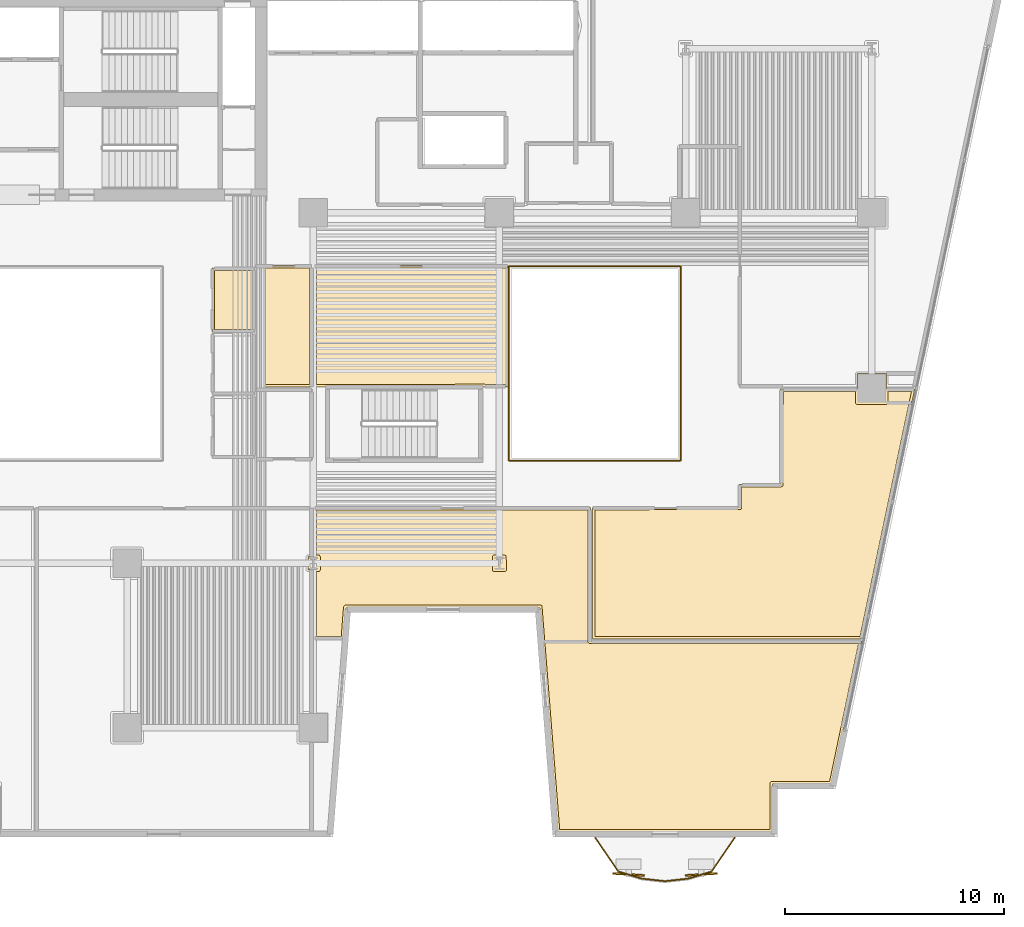
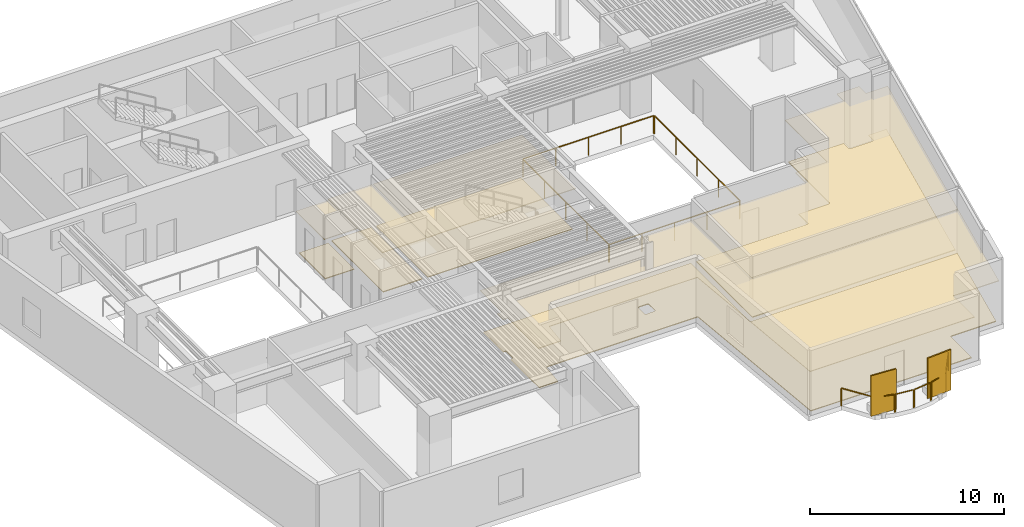
# One storey, part 9 of 11: 10 coverings, 10 railings, 2 shading devices.
"""IFC4 building model written with IfcOpenShell, lengths in metres."""

from ifc_helpers import new_model, si_unit, direction, frame, origin, origin_2d, place, context, subcontext, project, spatial, polyline, rectangle, outline, extrude, material, layer, layer_set, type_object, element, save


model = new_model("IFC4")

# Units and contexts
model_context = context("Model", 3, precision=1e-05, world=origin(), true_north=direction((0.0, 1.0)))
body_context = subcontext(model_context, "Body", "Model", "MODEL_VIEW")
ifc_project = project(units=[si_unit("LENGTHUNIT", "METRE"), si_unit("AREAUNIT", "SQUARE_METRE"), si_unit("VOLUMEUNIT", "CUBIC_METRE"), si_unit("PLANEANGLEUNIT", "RADIAN"), si_unit("MASSUNIT", "GRAM", prefix="KILO")], contexts=[model_context])

# Site, building, storey
site_placement = place(None, origin())
site = spatial("IfcSite", under=ifc_project, at=site_placement, CompositionType="ELEMENT")
building_placement = place(site_placement, origin())
building = spatial("IfcBuilding", under=site, at=building_placement, Name="Caeloran Harvest Quay", CompositionType="ELEMENT")
storey_placement = place(building_placement, frame((0.0, 0.0, 49.0)))
storey = spatial("IfcBuildingStorey", under=building, at=storey_placement, Name="L11", CompositionType="ELEMENT", Elevation=49.0)

# Coverings
ifc_material_1 = material(Name="Perforated Mineral-Fibre Acoustic Ceiling Tile", Category="ceiling")
ifc_layer_1 = layer(ifc_material_1, 0.0400390625, Name="Perforated Mineral-Fibre Acoustic Ceiling Tile")
ifc_layer_set_1 = layer_set([ifc_layer_1], Name="Perforated Mineral-Fibre Acoustic Ceiling Tile")
covering_type_1 = type_object("IfcCoveringType", Name="COV-CEILING-ACOUSTIC", PredefinedType="CEILING", material=ifc_layer_set_1)
covering_1_placement = place(storey_placement, frame((0.0, 0.0, 2.60009765625)))
element("IfcCovering", 1, at=covering_1_placement, inside=storey, type_object=covering_type_1, Name="L11 Male Washroom WC Acoustic Ceiling", PredefinedType="CEILING", context=body_context, shape_type="SweptSolid", body=[
    extrude(outline(polyline([(22.840087890625, 25.56005859375), (20.8701171875, 25.56005859375), (20.8701171875, 28.489990234375), (22.840087890625, 28.489990234375), (22.840087890625, 25.56005859375)])), origin(), (0.0, 0.0, 1.0), 0.039794921875),
])
covering_2_placement = place(storey_placement, frame((0.0, 0.0, 2.60009765625)))
element("IfcCovering", 2, at=covering_2_placement, inside=storey, type_object=covering_type_1, Name="Microgreens LED Rack Chamber Acoustic Ceiling", PredefinedType="CEILING", context=body_context, shape_type="SweptSolid", body=[
    extrude(outline(polyline([(46.467041015625, 2.719970703125), (36.64404296875, 2.719970703125), (35.843994140625, 12.969970703125), (26.99951171875, 12.969970703125), (26.887939453125, 11.5400390625), (25.5400390625, 11.5400390625), (25.5400390625, 14.695556640625), (25.2529296875, 14.695556640625), (25.2529296875, 15.304443359375), (25.5400390625, 15.304443359375), (25.5400390625, 17.56005859375), (38.159912109375, 17.56005859375), (38.159912109375, 11.4599609375), (50.54443359375, 11.4599609375), (49.170654296875, 4.919921875), (46.467041015625, 4.919921875), (46.467041015625, 2.719970703125)])), origin(), (0.0, 0.0, 1.0), 0.039794921875),
])
covering_3_placement = place(storey_placement, frame((0.0, 0.0, 2.60009765625)))
element("IfcCovering", 3, at=covering_3_placement, inside=storey, type_object=covering_type_1, Name="Tissue Culture Laboratory Acoustic Ceiling", PredefinedType="CEILING", context=body_context, shape_type="SweptSolid", body=[
    extrude(outline(polyline([(44.93994140625, 18.610107421875), (46.840087890625, 18.610107421875), (46.840087890625, 22.9599609375), (50.330078125, 22.9599609375), (50.330078125, 23.669921875), (51.669921875, 23.669921875), (51.669921875, 22.9599609375), (52.960205078125, 22.9599609375), (50.561279296875, 11.5400390625), (38.239990234375, 11.5400390625), (38.239990234375, 17.56005859375), (44.93994140625, 17.56005859375), (44.93994140625, 18.610107421875)])), origin(), (0.0, 0.0, 1.0), 0.039794921875),
])
covering_4_placement = place(storey_placement, frame((0.0, 0.0, 2.60009765625)))
element("IfcCovering", 4, at=covering_4_placement, inside=storey, type_object=covering_type_1, Name="Farm Operations Office Acoustic Ceiling", PredefinedType="CEILING", context=body_context, shape_type="SweptSolid", body=[
    extrude(outline(polyline([(22.8701171875, 28.512939453125), (22.85009765625, 28.52001953125), (22.85009765625, 28.610107421875), (25.4599609375, 28.610107421875), (25.4599609375, 23.0400390625), (22.8701171875, 23.0400390625), (22.8701171875, 28.512939453125)])), origin(), (0.0, 0.0, 1.0), 0.039794921875),
])
covering_5_placement = place(storey_placement, frame((0.0, 0.0, 2.60009765625)))
element("IfcCovering", 5, at=covering_5_placement, inside=storey, type_object=covering_type_1, Name="Botanical Tasting Meeting Room Acoustic Ceiling", PredefinedType="CEILING", context=body_context, shape_type="SweptSolid", body=[
    extrude(outline(polyline([(26.13720703125, 23.06005859375), (26.1298828125, 23.0400390625), (25.5400390625, 23.0400390625), (25.5400390625, 28.610107421875), (34.409912109375, 28.610107421875), (34.409912109375, 23.0400390625), (33.170166015625, 23.0400390625), (33.162841796875, 23.06005859375), (26.13720703125, 23.06005859375)])), origin(), (0.0, 0.0, 1.0), 0.039794921875),
])
ifc_material_2 = material(Name="Calcium-Sulphate Raised Access Floor and Terrazzo Finish", Category="flooring")
ifc_layer_2 = layer(ifc_material_2, 0.050048828125, Name="Calcium-Sulphate Raised Access Floor and Terrazzo Finish")
ifc_layer_set_2 = layer_set([ifc_layer_2], Name="Calcium-Sulphate Raised Access Floor and Terrazzo Finish")
covering_type_2 = type_object("IfcCoveringType", Name="COV-FLOOR-RAISED", PredefinedType="FLOORING", material=ifc_layer_set_2)
covering_6_placement = place(storey_placement, origin())
element("IfcCovering", 6, at=covering_6_placement, inside=storey, type_object=covering_type_2, Name="L11 Male Washroom WC Raised Finish Flooring", PredefinedType="FLOORING", context=body_context, shape_type="SweptSolid", body=[
    extrude(outline(polyline([(22.719970703125, 25.679931640625), (20.989990234375, 25.679931640625), (20.989990234375, 28.3701171875), (22.719970703125, 28.3701171875), (22.719970703125, 25.679931640625)])), origin(), (0.0, 0.0, 1.0), 0.050048828125),
])
covering_7_placement = place(storey_placement, origin())
element("IfcCovering", 7, at=covering_7_placement, inside=storey, type_object=covering_type_2, Name="Microgreens LED Rack Chamber Raised Finish Flooring", PredefinedType="FLOORING", context=body_context, shape_type="SweptSolid", body=[
    extrude(outline(polyline([(46.427001953125, 5.0400390625), (46.370361328125, 5.0166015625), (46.346923828125, 4.9599609375), (46.346923828125, 2.840087890625), (36.7548828125, 2.840087890625), (35.943603515625, 13.06005859375), (35.881103515625, 13.090087890625), (26.95458984375, 13.089599609375), (26.8828125, 13.01611328125), (26.77685546875, 11.659912109375), (25.659912109375, 11.659912109375), (25.659912109375, 14.62060546875), (25.77978515625, 14.6298828125), (25.822021484375, 14.700439453125), (25.820556640625, 15.315185546875), (25.772705078125, 15.373291015625), (25.659912109375, 15.37939453125), (25.659912109375, 17.43994140625), (38.0400390625, 17.43994140625), (38.0400390625, 11.419921875), (38.082275390625, 11.349365234375), (50.396728515625, 11.340087890625), (49.0732421875, 5.0400390625), (46.427001953125, 5.0400390625)]), holes=[polyline([(33.758056640625, 15.37939453125), (33.701416015625, 15.356201171875), (33.678466796875, 15.307373046875), (33.69140625, 14.656005859375), (33.758056640625, 14.62060546875), (34.286376953125, 14.634033203125), (34.322021484375, 14.700439453125), (34.30859375, 15.343994140625), (34.249755859375, 15.379150390625), (33.758056640625, 15.37939453125)])]), origin(), (0.0, 0.0, 1.0), 0.050048828125),
])
covering_8_placement = place(storey_placement, origin())
element("IfcCovering", 8, at=covering_8_placement, inside=storey, type_object=covering_type_2, Name="Tissue Culture Laboratory Raised Finish Flooring", PredefinedType="FLOORING", context=body_context, shape_type="SweptSolid", body=[
    extrude(outline(polyline([(38.360107421875, 17.43994140625), (45.03076171875, 17.458251953125), (45.0595703125, 17.51220703125), (45.06005859375, 18.489990234375), (46.8798828125, 18.489990234375), (46.953857421875, 18.539306640625), (46.9599609375, 22.840087890625), (50.2548828125, 22.840087890625), (50.25537109375, 22.3271484375), (50.2841796875, 22.273193359375), (50.3349609375, 22.2548828125), (51.6806640625, 22.256591796875), (51.74462890625, 22.3271484375), (51.7451171875, 22.840087890625), (52.8125, 22.840087890625), (50.4638671875, 11.659912109375), (38.360107421875, 11.659912109375), (38.360107421875, 17.43994140625)])), origin(), (0.0, 0.0, 1.0), 0.050048828125),
])
covering_9_placement = place(storey_placement, origin())
element("IfcCovering", 9, at=covering_9_placement, inside=storey, type_object=covering_type_2, Name="Farm Operations Office Raised Finish Flooring", PredefinedType="FLOORING", context=body_context, shape_type="SweptSolid", body=[
    extrude(outline(polyline([(22.989990234375, 28.489990234375), (25.340087890625, 28.489990234375), (25.340087890625, 23.159912109375), (22.989990234375, 23.159912109375), (22.989990234375, 28.489990234375)])), origin(), (0.0, 0.0, 1.0), 0.050048828125),
])
covering_10_placement = place(storey_placement, origin())
element("IfcCovering", 10, at=covering_10_placement, inside=storey, type_object=covering_type_2, Name="Botanical Tasting Meeting Room Raised Finish Flooring", PredefinedType="FLOORING", context=body_context, shape_type="SweptSolid", body=[
    extrude(outline(polyline([(33.169921875, 23.179931640625), (25.659912109375, 23.159912109375), (25.659912109375, 28.489990234375), (34.2900390625, 28.489990234375), (34.2900390625, 23.159912109375), (33.169921875, 23.179931640625)])), origin(), (0.0, 0.0, 1.0), 0.050048828125),
])

# Railings
ifc_material_3 = material(Name="Powder-Coated Steel Post and Laminated Glass Guardrail", Category="steel")
ifc_layer_3 = layer(ifc_material_3, 0.06005859375, Name="Powder-Coated Steel Post and Laminated Glass Guardrail")
ifc_layer_set_3 = layer_set([ifc_layer_3], Name="Powder-Coated Steel Post and Laminated Glass Guardrail")
railing_type_1 = type_object("IfcRailingType", Name="GUARD-ATRIUM-1150", PredefinedType="GUARDRAIL", material=ifc_layer_set_3)
railing_1_placement = place(storey_placement, frame((34.4619140625, 19.679931640625, 0.0)))
element("IfcRailing", 11, at=railing_1_placement, inside=storey, type_object=railing_type_1, Name="L11 East Botanical Lightwell Guardrail Seg 1", PredefinedType="GUARDRAIL", context=body_context, shape_type="SweptSolid", body=[
    extrude(rectangle(XDim=0.048095703125, YDim=0.048095703125, at=origin_2d()), frame((0.0, 0.0, 1.1259765625), z_axis=(1.0, 0.0, 0.0), x_axis=(0.0, 1.0, 0.0)), (0.0, 0.0, 1.0), 7.776123046875),
    extrude(rectangle(XDim=0.0419921875, YDim=0.0419921875, at=origin_2d()), origin(), (0.0, 0.0, 1.0), 1.101806640625),
    extrude(rectangle(XDim=0.0419921875, YDim=0.0419921875, at=origin_2d()), frame((1.944091796875, 0.0, 0.0)), (0.0, 0.0, 1.0), 1.101806640625),
    extrude(rectangle(XDim=0.0419921875, YDim=0.0419921875, at=origin_2d()), frame((3.88818359375, 0.0, 0.0)), (0.0, 0.0, 1.0), 1.101806640625),
    extrude(rectangle(XDim=0.0419921875, YDim=0.0419921875, at=origin_2d()), frame((5.83203125, 0.0, 0.0)), (0.0, 0.0, 1.0), 1.101806640625),
    extrude(rectangle(XDim=0.0419921875, YDim=0.0419921875, at=origin_2d()), frame((7.776123046875, 0.0, 0.0)), (0.0, 0.0, 1.0), 1.101806640625),
])
railing_2_placement = place(storey_placement, frame((42.27001953125, 19.7119140625, 0.0)))
element("IfcRailing", 12, at=railing_2_placement, inside=storey, type_object=railing_type_1, Name="L11 East Botanical Lightwell Guardrail Seg 2", PredefinedType="GUARDRAIL", context=body_context, shape_type="SweptSolid", body=[
    extrude(rectangle(XDim=0.048095703125, YDim=0.048095703125, at=origin_2d()), frame((0.0, 0.0, 1.1259765625), z_axis=(0.0, 1.0, 0.0), x_axis=(-1.0, 0.0, 0.0)), (0.0, 0.0, 1.0), 8.826171875),
    extrude(rectangle(XDim=0.0419921875, YDim=0.0419921875, at=origin_2d()), origin(), (0.0, 0.0, 1.0), 1.101806640625),
    extrude(rectangle(XDim=0.0419921875, YDim=0.0419921875, at=origin_2d()), frame((0.0, 2.20654296875, 0.0)), (0.0, 0.0, 1.0), 1.101806640625),
    extrude(rectangle(XDim=0.0419921875, YDim=0.0419921875, at=origin_2d()), frame((0.0, 4.4130859375, 0.0)), (0.0, 0.0, 1.0), 1.101806640625),
    extrude(rectangle(XDim=0.0419921875, YDim=0.0419921875, at=origin_2d()), frame((0.0, 6.61962890625, 0.0)), (0.0, 0.0, 1.0), 1.101806640625),
    extrude(rectangle(XDim=0.0419921875, YDim=0.0419921875, at=origin_2d()), frame((0.0, 8.826171875, 0.0)), (0.0, 0.0, 1.0), 1.101806640625),
])
railing_3_placement = place(storey_placement, frame((42.238037109375, 28.570068359375, 0.0)))
element("IfcRailing", 13, at=railing_3_placement, inside=storey, type_object=railing_type_1, Name="L11 East Botanical Lightwell Guardrail Seg 3", PredefinedType="GUARDRAIL", context=body_context, shape_type="SweptSolid", body=[
    extrude(rectangle(XDim=0.048095703125, YDim=0.048095703125, at=origin_2d()), frame((0.0, 0.0, 1.1259765625), z_axis=(-1.0, 0.0, 0.0), x_axis=(0.0, -1.0, 0.0)), (0.0, 0.0, 1.0), 7.776123046875),
    extrude(rectangle(XDim=0.0419921875, YDim=0.0419921875, at=origin_2d()), origin(), (0.0, 0.0, 1.0), 1.101806640625),
    extrude(rectangle(XDim=0.0419921875, YDim=0.0419921875, at=origin_2d()), frame((-1.944091796875, 0.0, 0.0)), (0.0, 0.0, 1.0), 1.101806640625),
    extrude(rectangle(XDim=0.0419921875, YDim=0.0419921875, at=origin_2d()), frame((-3.88818359375, 0.0, 0.0)), (0.0, 0.0, 1.0), 1.101806640625),
    extrude(rectangle(XDim=0.0419921875, YDim=0.0419921875, at=origin_2d()), frame((-5.83203125, 0.0, 0.0)), (0.0, 0.0, 1.0), 1.101806640625),
    extrude(rectangle(XDim=0.0419921875, YDim=0.0419921875, at=origin_2d()), frame((-7.776123046875, 0.0, 0.0)), (0.0, 0.0, 1.0), 1.101806640625),
])
railing_4_placement = place(storey_placement, frame((34.429931640625, 28.5380859375, 0.0)))
element("IfcRailing", 14, at=railing_4_placement, inside=storey, type_object=railing_type_1, Name="L11 East Botanical Lightwell Guardrail Seg 4", PredefinedType="GUARDRAIL", context=body_context, shape_type="SweptSolid", body=[
    extrude(rectangle(XDim=0.048095703125, YDim=0.048095703125, at=origin_2d()), frame((0.0, 0.0, 1.1259765625), z_axis=(0.0, -1.0, 0.0), x_axis=(1.0, 0.0, 0.0)), (0.0, 0.0, 1.0), 8.826171875),
    extrude(rectangle(XDim=0.0419921875, YDim=0.0419921875, at=origin_2d()), origin(), (0.0, 0.0, 1.0), 1.101806640625),
    extrude(rectangle(XDim=0.0419921875, YDim=0.0419921875, at=origin_2d()), frame((0.0, -2.20654296875, 0.0)), (0.0, 0.0, 1.0), 1.101806640625),
    extrude(rectangle(XDim=0.0419921875, YDim=0.0419921875, at=origin_2d()), frame((0.0, -4.4130859375, 0.0)), (0.0, 0.0, 1.0), 1.101806640625),
    extrude(rectangle(XDim=0.0419921875, YDim=0.0419921875, at=origin_2d()), frame((0.0, -6.61962890625, 0.0)), (0.0, 0.0, 1.0), 1.101806640625),
    extrude(rectangle(XDim=0.0419921875, YDim=0.0419921875, at=origin_2d()), frame((0.0, -8.826171875, 0.0)), (0.0, 0.0, 1.0), 1.101806640625),
])
ifc_material_4 = material(Name="Laminated Safety Glass and Stainless Steel 316", Category="steel")
ifc_layer_4 = layer(ifc_material_4, 0.06005859375, Name="Laminated Safety Glass and Stainless Steel 316")
ifc_layer_set_4 = layer_set([ifc_layer_4], Name="Laminated Safety Glass and Stainless Steel 316")
railing_type_2 = type_object("IfcRailingType", Name="GUARD-BALUSTRADE-1150", PredefinedType="BALUSTRADE", material=ifc_layer_set_4)
railing_5_placement = place(storey_placement, frame((44.7509765625, 2.47998046875, 0.0)))
element("IfcRailing", 15, at=railing_5_placement, inside=storey, type_object=railing_type_2, Name="L11 Planted Balcony Perimeter Balustrade Guard Seg 1", PredefinedType="BALUSTRADE", context=body_context, shape_type="SweptSolid", body=[
    extrude(rectangle(XDim=0.048095703125, YDim=0.048095703125, at=origin_2d()), frame((0.0, 0.0, 1.1259765625), z_axis=(-0.565895307644, -0.824477107497, 0.0), x_axis=(0.824477107497, -0.565895307644, 0.0)), (0.0, 0.0, 1.0), 1.8486328125),
    extrude(rectangle(XDim=0.0419921875, YDim=0.0419921875, at=origin_2d()), origin(), (0.0, 0.0, 1.0), 1.101806640625),
    extrude(rectangle(XDim=0.0419921875, YDim=0.0419921875, at=origin_2d()), frame((-1.046142578125, -1.524169921875, 0.0)), (0.0, 0.0, 1.0), 1.101806640625),
])
railing_6_placement = place(storey_placement, frame((43.65625, 0.920166015625, 0.0)))
element("IfcRailing", 16, at=railing_6_placement, inside=storey, type_object=railing_type_2, Name="L11 Planted Balcony Perimeter Balustrade Guard Seg 2", PredefinedType="BALUSTRADE", context=body_context, shape_type="SweptSolid", body=[
    extrude(rectangle(XDim=0.048095703125, YDim=0.048095703125, at=origin_2d()), frame((0.0, 0.0, 1.1259765625), z_axis=(-0.957079252087, -0.289826336319, 0.0), x_axis=(0.289826336319, -0.957079252087, 0.0)), (0.0, 0.0, 1.0), 1.0478515625),
    extrude(rectangle(XDim=0.0419921875, YDim=0.0419921875, at=origin_2d()), origin(), (0.0, 0.0, 1.0), 1.101806640625),
    extrude(rectangle(XDim=0.0419921875, YDim=0.0419921875, at=origin_2d()), frame((-1.0029296875, -0.3037109375, 0.0)), (0.0, 0.0, 1.0), 1.101806640625),
])
railing_7_placement = place(storey_placement, frame((42.5908203125, 0.603515625, 0.0)))
element("IfcRailing", 17, at=railing_7_placement, inside=storey, type_object=railing_type_2, Name="L11 Planted Balcony Perimeter Balustrade Guard Seg 3", PredefinedType="BALUSTRADE", context=body_context, shape_type="SweptSolid", body=[
    extrude(rectangle(XDim=0.048095703125, YDim=0.048095703125, at=origin_2d()), frame((0.0, 0.0, 1.1259765625), z_axis=(-0.993892604556, -0.110351667905, 0.0), x_axis=(0.110351667905, -0.993892604556, 0.0)), (0.0, 0.0, 1.0), 1.006591796875),
    extrude(rectangle(XDim=0.0419921875, YDim=0.0419921875, at=origin_2d()), origin(), (0.0, 0.0, 1.0), 1.101806640625),
    extrude(rectangle(XDim=0.0419921875, YDim=0.0419921875, at=origin_2d()), frame((-1.00048828125, -0.111083984375, 0.0)), (0.0, 0.0, 1.0), 1.101806640625),
])
railing_8_placement = place(storey_placement, frame((41.526611328125, 0.492431640625, 0.0)))
element("IfcRailing", 18, at=railing_8_placement, inside=storey, type_object=railing_type_2, Name="L11 Planted Balcony Perimeter Balustrade Guard Seg 4", PredefinedType="BALUSTRADE", context=body_context, shape_type="SweptSolid", body=[
    extrude(rectangle(XDim=0.048095703125, YDim=0.048095703125, at=origin_2d()), frame((0.0, 0.0, 1.1259765625), z_axis=(-0.993892604556, 0.110351667905, 0.0), x_axis=(-0.110351667905, -0.993892604556, 0.0)), (0.0, 0.0, 1.0), 1.006591796875),
    extrude(rectangle(XDim=0.0419921875, YDim=0.0419921875, at=origin_2d()), origin(), (0.0, 0.0, 1.0), 1.101806640625),
    extrude(rectangle(XDim=0.0419921875, YDim=0.0419921875, at=origin_2d()), frame((-1.00048828125, 0.111083984375, 0.0)), (0.0, 0.0, 1.0), 1.101806640625),
])
railing_9_placement = place(storey_placement, frame((40.463623046875, 0.616455078125, 0.0)))
element("IfcRailing", 19, at=railing_9_placement, inside=storey, type_object=railing_type_2, Name="L11 Planted Balcony Perimeter Balustrade Guard Seg 5", PredefinedType="BALUSTRADE", context=body_context, shape_type="SweptSolid", body=[
    extrude(rectangle(XDim=0.048095703125, YDim=0.048095703125, at=origin_2d()), frame((0.0, 0.0, 1.1259765625), z_axis=(-0.957079252087, 0.289826336319, 0.0), x_axis=(-0.289826336319, -0.957079252087, 0.0)), (0.0, 0.0, 1.0), 1.0478515625),
    extrude(rectangle(XDim=0.0419921875, YDim=0.0419921875, at=origin_2d()), origin(), (0.0, 0.0, 1.0), 1.101806640625),
    extrude(rectangle(XDim=0.0419921875, YDim=0.0419921875, at=origin_2d()), frame((-1.0029296875, 0.3037109375, 0.0)), (0.0, 0.0, 1.0), 1.101806640625),
])
railing_10_placement = place(storey_placement, frame((39.412109375, 0.955810546875, 0.0)))
element("IfcRailing", 20, at=railing_10_placement, inside=storey, type_object=railing_type_2, Name="L11 Planted Balcony Perimeter Balustrade Guard Seg 6", PredefinedType="BALUSTRADE", context=body_context, shape_type="SweptSolid", body=[
    extrude(rectangle(XDim=0.048095703125, YDim=0.048095703125, at=origin_2d()), frame((0.0, 0.0, 1.1259765625), z_axis=(-0.565895307644, 0.824477107497, 0.0), x_axis=(-0.824477107497, -0.565895307644, 0.0)), (0.0, 0.0, 1.0), 1.8486328125),
    extrude(rectangle(XDim=0.0419921875, YDim=0.0419921875, at=origin_2d()), origin(), (0.0, 0.0, 1.0), 1.101806640625),
    extrude(rectangle(XDim=0.0419921875, YDim=0.0419921875, at=origin_2d()), frame((-1.046142578125, 1.524169921875, 0.0)), (0.0, 0.0, 1.0), 1.101806640625),
])

# Shading devices
ifc_material_5 = material(Name="3003-H14 Perforated Powder-Coated Aluminium", Category="aluminium")
shading_device_type = type_object("IfcShadingDeviceType", Name="SHADE-SCREEN-FOLDED", PredefinedType="USERDEFINED", material=ifc_material_5)
for number, where, z_axis, x_axis, name in (
    (21, (43.218505859375, 0.795166015625, 0.0751953125), (0.0, 0.0, 1.0), (0.997801468292, 0.0662739004, 0.0), "L11 Folded Facade Breathing Screen 1"),
    (22, (39.8984375, 0.795166015625, 0.0751953125), (0.0, 0.0, 1.0), (0.997801468292, -0.0662739004, 0.0), "L11 Folded Facade Breathing Screen 2"),
):
    element("IfcShadingDevice", number, at=place(storey_placement, frame(where, z_axis=z_axis, x_axis=x_axis)), inside=storey, type_object=shading_device_type, Name=name, ObjectType="SCREEN", PredefinedType="USERDEFINED", context=body_context, shape_type="SweptSolid", body=[
        extrude(rectangle(XDim=1.449951171875, YDim=0.080078125, at=origin_2d()), origin(), (0.0, 0.0, 1.0), 2.550048828125),
    ])

save(model, "model.ifc")
